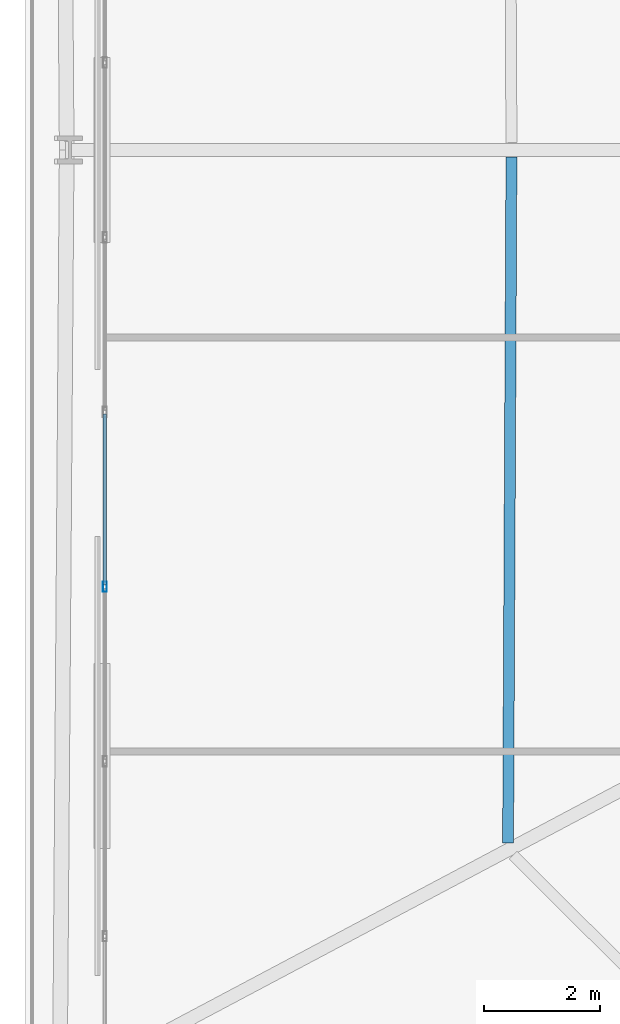
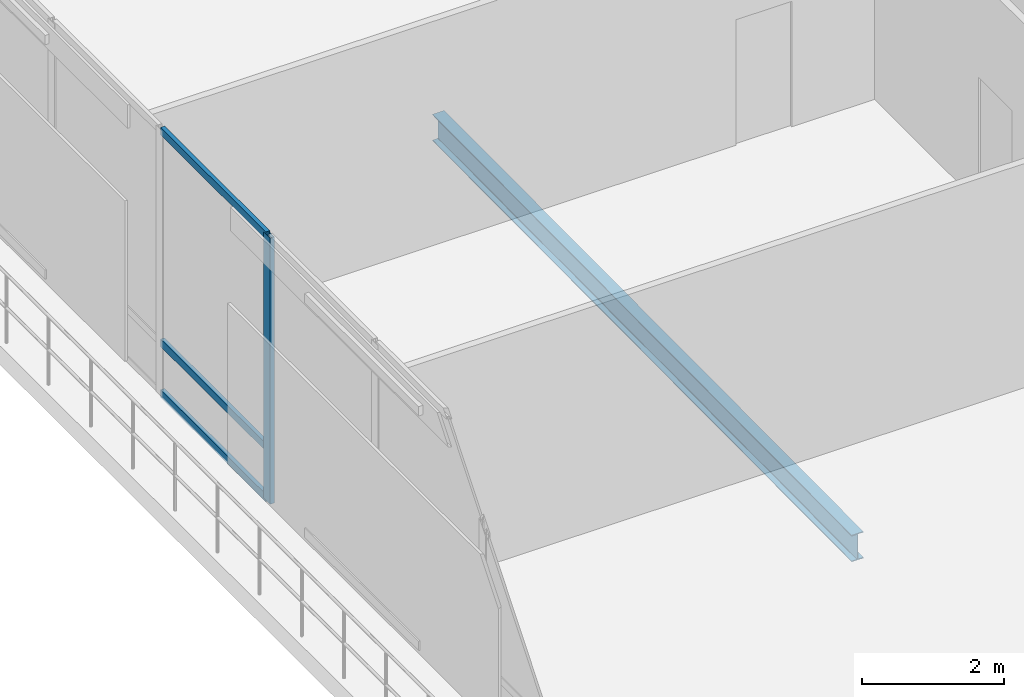
# One storey, part 7 of 48: 4 members, 1 beam, 1 element without a shape of its own.
"""IFC4 building model written with IfcOpenShell, lengths in metres."""

from ifc_helpers import new_model, si_unit, direction, frame, origin, origin_2d, place, context, subcontext, project, spatial, hollow_rectangle, i_section, extrude, material, layer, layer_set, material_profile, profile_set, type_object, element, aggregate, save


model = new_model("IFC4")

# Units and contexts
model_context = context("Model", 3, precision=1e-05, world=origin(), true_north=direction((0.0, 1.0)))
body_context = subcontext(model_context, "Body", "Model", "MODEL_VIEW")
ifc_project = project(units=[si_unit("LENGTHUNIT", "METRE"), si_unit("AREAUNIT", "SQUARE_METRE"), si_unit("VOLUMEUNIT", "CUBIC_METRE"), si_unit("PLANEANGLEUNIT", "RADIAN"), si_unit("MASSUNIT", "GRAM", prefix="KILO")], contexts=[model_context])

# Site, building, storey
site_placement = place(None, origin())
site = spatial("IfcSite", under=ifc_project, at=site_placement, CompositionType="ELEMENT")
building_placement = place(site_placement, origin())
building = spatial("IfcBuilding", under=site, at=building_placement, Name="Caelvoria Tower", CompositionType="ELEMENT")
storey_placement = place(building_placement, frame((0.0, 0.0, 90.39990234375)))
storey = spatial("IfcBuildingStorey", under=building, at=storey_placement, Name="L23", CompositionType="ELEMENT", Elevation=90.39990234375)

# Curtain wall, members
ifc_material_1 = material(Name="Anodised Bronze Aluminium and Low-E Glass", Category="aluminium")
ifc_layer = layer(ifc_material_1, 0.2099609375, Name="Anodised Bronze Aluminium and Low-E Glass")
ifc_layer_set = layer_set([ifc_layer], Name="CW System 3 Sky Lobby Double-Height Acoustic Facade - Anodised Bronze Aluminium and Low-E Glass")
curtain_wall_type = type_object("IfcCurtainWallType", Name="CW System 3 Sky Lobby Double-Height Acoustic Facade", PredefinedType="NOTDEFINED", material=ifc_layer_set)
curtain_wall_placement = place(storey_placement, origin())
curtain_wall = element("IfcCurtainWall", 1, at=curtain_wall_placement, inside=storey, type_object=curtain_wall_type, Name="CW-03 Curtain Wall L23-E6", PredefinedType="NOTDEFINED")
ifc_material_2 = material(Name="Anodised Bronze Architectural Aluminium", Category="aluminium")
ifc_material_profile_1 = material_profile(ifc_material_2, hollow_rectangle(XDim=0.070068359375, YDim=0.179931640625, WallThickness=0.00390625, at=origin_2d()), Name="Anodised Bronze Architectural Aluminium")
ifc_profile_set_1 = profile_set([ifc_material_profile_1], Name="CW_MULL_70X180 - Anodised Bronze Architectural Aluminium")
member_type_1 = type_object("IfcMemberType", Name="Curtain Wall Mullion 70x180 Bronze Aluminium", PredefinedType="MULLION", material=ifc_profile_set_1)
member_1_placement = place(storey_placement, frame((22.26318359375, 24.439453125, 0.0), z_axis=(0.0, 0.0, 1.0), x_axis=(1.0, 0.0, 0.0)))
member_1 = element("IfcMember", 2, at=member_1_placement, type_object=member_type_1, Name="CW-03 mullion 9", PredefinedType="MULLION", context=body_context, shape_type="SweptSolid", body=[
    extrude(hollow_rectangle(XDim=0.070068359375, YDim=0.179931640625, WallThickness=0.00390625, at=origin_2d()), origin(), (0.0, 0.0, 1.0), 4.56005859375),
])
ifc_material_profile_2 = material_profile(ifc_material_2, hollow_rectangle(XDim=0.06494140625, YDim=0.1298828125, WallThickness=0.00341796875, at=origin_2d()), Name="Anodised Bronze Architectural Aluminium")
ifc_profile_set_2 = profile_set([ifc_material_profile_2], Name="CW_TRAN_65X130 - Anodised Bronze Architectural Aluminium")
member_type_2 = type_object("IfcMemberType", Name="Curtain Wall Transom 65x130 Bronze Aluminium", PredefinedType="USERDEFINED", material=ifc_profile_set_2)
member_2_placement = place(storey_placement, frame((22.26318359375, 27.4287109375, 0.03271484375), z_axis=(0.0, -1.0, 0.0), x_axis=(1.0, 0.0, 0.0)))
member_2 = element("IfcMember", 3, at=member_2_placement, type_object=member_type_2, Name="CW-03 transom 8.1", ObjectType="TRANSOM", PredefinedType="USERDEFINED", context=body_context, shape_type="SweptSolid", body=[
    extrude(hollow_rectangle(XDim=0.06494140625, YDim=0.1298828125, WallThickness=0.00341796875, at=origin_2d()), origin(), (0.0, 0.0, 1.0), 2.954345703125),
])
member_3_placement = place(storey_placement, frame((22.26318359375, 27.4287109375, 0.900146484375), z_axis=(0.0, -1.0, 0.0), x_axis=(1.0, 0.0, 0.0)))
member_3 = element("IfcMember", 4, at=member_3_placement, type_object=member_type_2, Name="CW-03 transom 8.2", ObjectType="TRANSOM", PredefinedType="USERDEFINED", context=body_context, shape_type="SweptSolid", body=[
    extrude(hollow_rectangle(XDim=0.06494140625, YDim=0.1298828125, WallThickness=0.00341796875, at=origin_2d()), origin(), (0.0, 0.0, 1.0), 2.954345703125),
])
member_4_placement = place(storey_placement, frame((22.26318359375, 27.4287109375, 4.527587890625), z_axis=(0.0, -1.0, 0.0), x_axis=(1.0, 0.0, 0.0)))
member_4 = element("IfcMember", 5, at=member_4_placement, type_object=member_type_2, Name="CW-03 transom 8.3", ObjectType="TRANSOM", PredefinedType="USERDEFINED", context=body_context, shape_type="SweptSolid", body=[
    extrude(hollow_rectangle(XDim=0.06494140625, YDim=0.1298828125, WallThickness=0.00341796875, at=origin_2d()), origin(), (0.0, 0.0, 1.0), 2.954345703125),
])
aggregate(curtain_wall, [member_1, member_2, member_3, member_4])

# Beam
ifc_material_3 = material(Name="Structural Steel ASTM A992 Gr.50", Category="steel")
ifc_material_profile_3 = material_profile(ifc_material_3, i_section(OverallWidth=0.18994140625, OverallDepth=0.45703125, WebThickness=0.009033203125, FlangeThickness=0.014404296875, FilletRadius=0.014892578125, at=origin_2d()), Name="Structural Steel ASTM A992 Gr.50")
ifc_profile_set_3 = profile_set([ifc_material_profile_3], Name="W460X74 - Structural Steel ASTM A992 Gr.50")
beam_type = type_object("IfcBeamType", Name="Secondary Floor Beam W460X74", PredefinedType="BEAM", material=ifc_profile_set_3)
beam_placement = place(storey_placement, frame((29.301025390625, 31.875, -0.54833984375), z_axis=(-0.00493709397, -0.999987812477, 0.0), x_axis=(0.999987812477, -0.00493709397, 0.0)))
element("IfcBeam", 6, at=beam_placement, inside=storey, type_object=beam_type, Name="Secondary Floor Beam L23-10", PredefinedType="BEAM", context=body_context, shape_type="SweptSolid", body=[
    extrude(i_section(OverallWidth=0.18994140625, OverallDepth=0.45703125, WebThickness=0.009033203125, FlangeThickness=0.014404296875, FilletRadius=0.014892578125, at=origin_2d()), origin(), (0.0, 0.0, 1.0), 11.8681640625),
])

save(model, "model.ifc")
